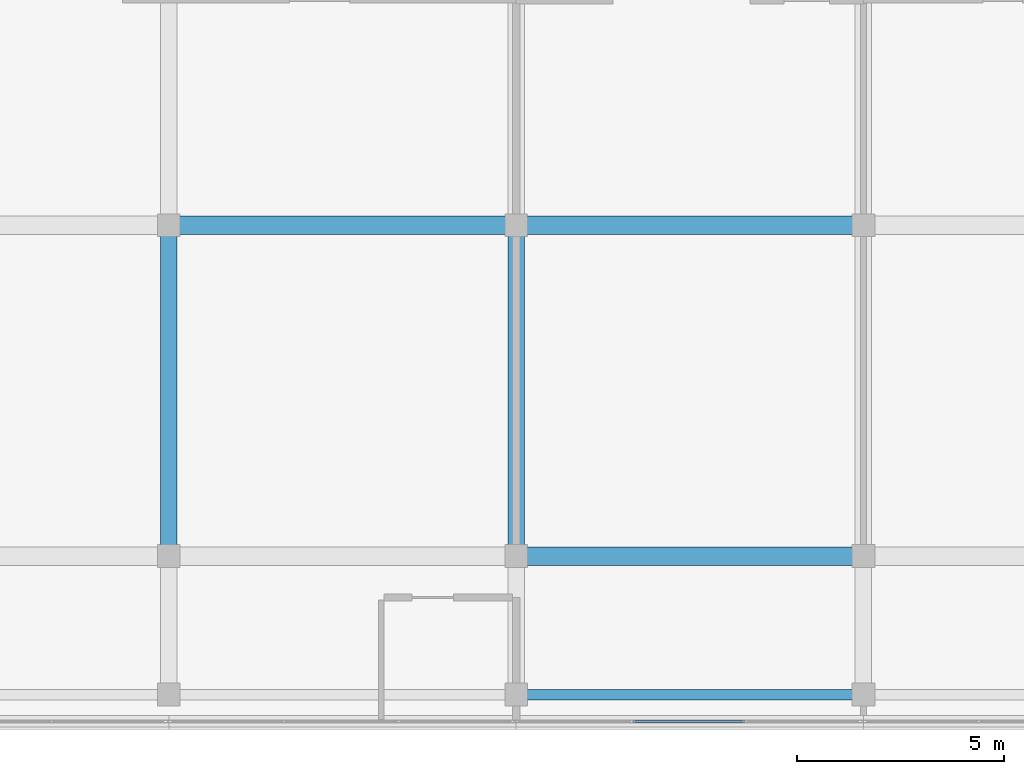
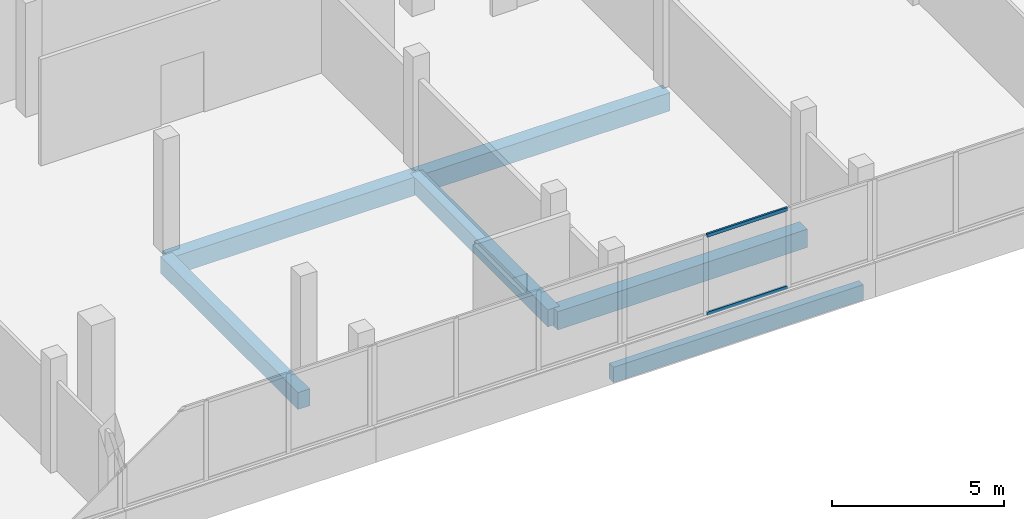
# One storey, part 24 of 66: 6 beams, 2 members, 1 element without a shape of its own.
"""IFC4 building model written with IfcOpenShell, lengths in metres."""

from ifc_helpers import new_model, si_unit, direction, frame, origin, origin_2d, place, context, subcontext, project, spatial, rectangle, hollow_rectangle, extrude, material, material_profile, profile_set, type_object, element, aggregate, save


model = new_model("IFC4")

# Units and contexts
model_context = context("Model", 3, precision=1e-05, world=origin(), true_north=direction((0.0, 1.0)))
body_context = subcontext(model_context, "Body", "Model", "MODEL_VIEW")
ifc_project = project(units=[si_unit("LENGTHUNIT", "METRE"), si_unit("AREAUNIT", "SQUARE_METRE"), si_unit("VOLUMEUNIT", "CUBIC_METRE"), si_unit("PLANEANGLEUNIT", "RADIAN"), si_unit("MASSUNIT", "GRAM", prefix="KILO")], contexts=[model_context])

# Site, building, storey
site_placement = place(None, origin())
site = spatial("IfcSite", under=ifc_project, at=site_placement, CompositionType="ELEMENT")
building_placement = place(site_placement, origin())
building = spatial("IfcBuilding", under=site, at=building_placement, Name="Selatvlak General Hospital", CompositionType="ELEMENT")
storey_placement = place(building_placement, frame((0.0, 0.0, 31.35009765625)))
storey = spatial("IfcBuildingStorey", under=building, at=storey_placement, Name="L07", CompositionType="ELEMENT", Elevation=31.35009765625)

# Beams
ifc_material_1 = material(Name="Concrete C40/50", Category="concrete")
ifc_material_profile_1 = material_profile(ifc_material_1, rectangle(XDim=0.449951171875, YDim=0.64990234375, at=origin_2d()), Name="RC-BM 450x650")
ifc_profile_set_1 = profile_set([ifc_material_profile_1], Name="Concrete C40/50")
beam_type_1 = type_object("IfcBeamType", Name="BM-G04", PredefinedType="BEAM", material=ifc_profile_set_1)
beam_1_placement = place(storey_placement, frame((98.39990234375, 92.0, -0.59521484375), z_axis=(1.0, 0.0, 0.0), x_axis=(0.0, 1.0, 0.0)))
element("IfcBeam", 1, at=beam_1_placement, inside=storey, type_object=beam_type_1, Name="Beam BMR-L07-2390", PredefinedType="BEAM", context=body_context, shape_type="SweptSolid", body=[
    extrude(rectangle(XDim=0.449951171875, YDim=0.64990234375, at=origin_2d()), origin(), (0.0, 0.0, 1.0), 8.400146484375),
])
beam_2_placement = place(storey_placement, frame((90.0, 100.0, -0.59521484375), z_axis=(1.0, 0.0, 0.0), x_axis=(0.0, 1.0, 0.0)))
element("IfcBeam", 2, at=beam_2_placement, inside=storey, type_object=beam_type_1, Name="Beam BMR-L07-2410", PredefinedType="BEAM", context=body_context, shape_type="SweptSolid", body=[
    extrude(rectangle(XDim=0.449951171875, YDim=0.64990234375, at=origin_2d()), origin(), (0.0, 0.0, 1.0), 8.39990234375),
])
beam_3_placement = place(storey_placement, frame((98.39990234375, 100.0, -0.59521484375), z_axis=(1.0, 0.0, 0.0), x_axis=(0.0, 1.0, 0.0)))
element("IfcBeam", 3, at=beam_3_placement, inside=storey, type_object=beam_type_1, Name="Beam BMR-L07-2411", PredefinedType="BEAM", context=body_context, shape_type="SweptSolid", body=[
    extrude(rectangle(XDim=0.449951171875, YDim=0.64990234375, at=origin_2d()), origin(), (0.0, 0.0, 1.0), 8.400146484375),
])
ifc_material_profile_2 = material_profile(ifc_material_1, rectangle(XDim=0.39990234375, YDim=0.60009765625, at=origin_2d()), Name="RC-BM 400x600")
ifc_profile_set_2 = profile_set([ifc_material_profile_2], Name="Concrete C40/50")
beam_type_2 = type_object("IfcBeamType", Name="BM-G05", PredefinedType="BEAM", material=ifc_profile_set_2)
for number, where, z_axis, x_axis, name in (
    (4, (90.0, 92.0, -0.570068359375), (0.0, 1.0, 0.0), (-1.0, 0.0, 0.0), "Beam BMR-L07-2500"),
    (5, (98.39990234375, 92.0, -0.570068359375), (0.0, 1.0, 0.0), (-1.0, 0.0, 0.0), "Beam BMR-L07-2504"),
):
    element("IfcBeam", number, at=place(storey_placement, frame(where, z_axis=z_axis, x_axis=x_axis)), inside=storey, type_object=beam_type_2, Name=name, PredefinedType="BEAM", context=body_context, shape_type="SweptSolid", body=[
        extrude(rectangle(XDim=0.39990234375, YDim=0.60009765625, at=origin_2d()), origin(), (0.0, 0.0, 1.0), 8.0),
    ])
ifc_material_profile_3 = material_profile(ifc_material_1, rectangle(XDim=0.25, YDim=0.550048828125, at=origin_2d()), Name="RC-SP 250x550")
ifc_profile_set_3 = profile_set([ifc_material_profile_3], Name="Concrete C40/50")
beam_type_3 = type_object("IfcBeamType", Name="BM-SP2", PredefinedType="SPANDREL", material=ifc_profile_set_3)
beam_4_placement = place(storey_placement, frame((98.39990234375, 88.64990234375, -0.545166015625), z_axis=(1.0, 0.0, 0.0), x_axis=(0.0, 1.0, 0.0)))
element("IfcBeam", 6, at=beam_4_placement, inside=storey, type_object=beam_type_3, Name="Beam BMR-L07-2371", PredefinedType="SPANDREL", context=body_context, shape_type="SweptSolid", body=[
    extrude(rectangle(XDim=0.25, YDim=0.550048828125, at=origin_2d()), origin(), (0.0, 0.0, 1.0), 8.400146484375),
])

# Curtain wall, members
ifc_material_2 = material(Name="Solar-control Low-E double glazing", Category="glass")
curtain_wall_type = type_object("IfcCurtainWallType", Name="CW-CW-02", PredefinedType="USERDEFINED", material=ifc_material_2)
curtain_wall_placement = place(storey_placement, origin())
curtain_wall = element("IfcCurtainWall", 7, at=curtain_wall_placement, inside=storey, type_object=curtain_wall_type, Name="Glazed facade curtain wall CW-L07-0670", ObjectType="UNITISED CURTAIN WALL", PredefinedType="USERDEFINED")
ifc_material_3 = material(Name="Dark anodised aluminium mullion", Category="aluminium")
ifc_material_profile_4 = material_profile(ifc_material_3, hollow_rectangle(XDim=0.06494140625, YDim=0.1201171875, WallThickness=0.00390625, at=origin_2d()), Name="AL-TRN 65x120x4")
ifc_profile_set_4 = profile_set([ifc_material_profile_4], Name="Dark anodised aluminium mullion")
member_type = type_object("IfcMemberType", Name="CWT-01", PredefinedType="USERDEFINED", material=ifc_profile_set_4)
member_1_placement = place(storey_placement, frame((103.92919921875, 88.0009765625, 0.972412109375), z_axis=(-1.0, 0.0, 0.0), x_axis=(0.0, -1.0, 0.0)))
member_1 = element("IfcMember", 8, at=member_1_placement, type_object=member_type, Name="CW-02 transom 2.1", ObjectType="TRANSOM", PredefinedType="USERDEFINED", context=body_context, shape_type="SweptSolid", body=[
    extrude(hollow_rectangle(XDim=0.06494140625, YDim=0.1201171875, WallThickness=0.00390625, at=origin_2d()), origin(), (0.0, 0.0, 1.0), 2.708251953125),
])
member_2_placement = place(storey_placement, frame((103.92919921875, 88.0009765625, 3.75244140625), z_axis=(-1.0, 0.0, 0.0), x_axis=(0.0, -1.0, 0.0)))
member_2 = element("IfcMember", 9, at=member_2_placement, type_object=member_type, Name="CW-02 transom 2.2", ObjectType="TRANSOM", PredefinedType="USERDEFINED", context=body_context, shape_type="SweptSolid", body=[
    extrude(hollow_rectangle(XDim=0.06494140625, YDim=0.1201171875, WallThickness=0.00390625, at=origin_2d()), origin(), (0.0, 0.0, 1.0), 2.708251953125),
])
aggregate(curtain_wall, [member_1, member_2])

save(model, "model.ifc")
